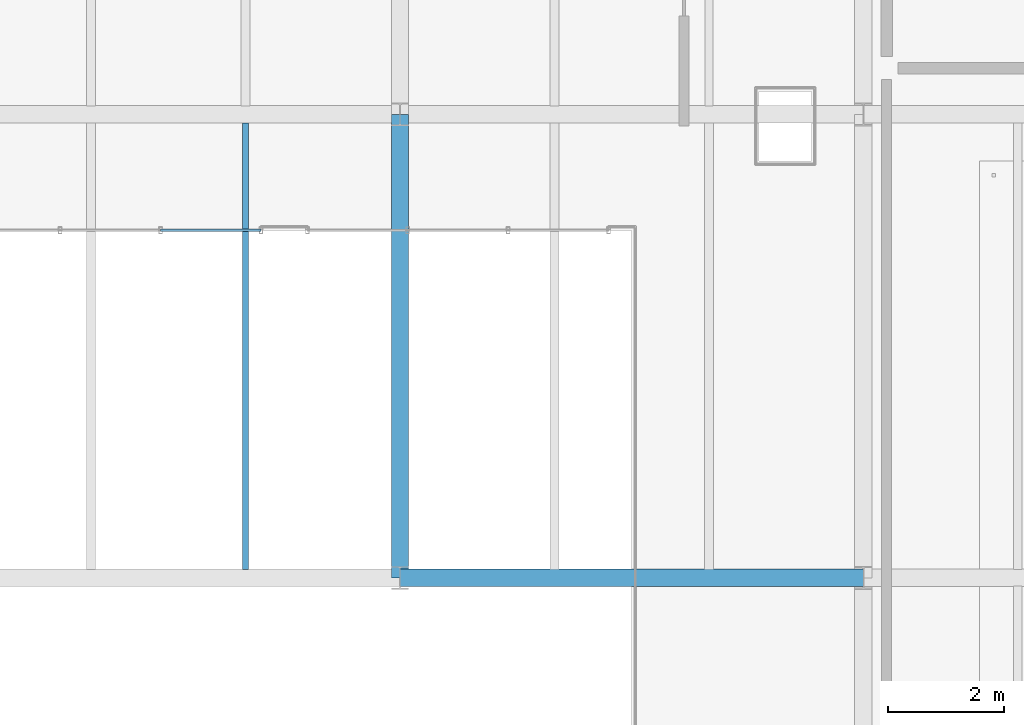
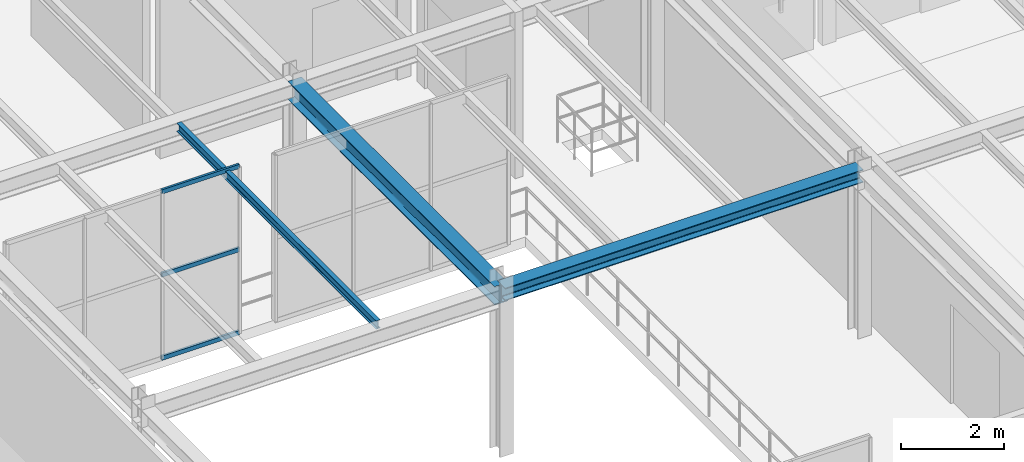
# One storey, part 28 of 67: 3 beams, 3 members, 1 element without a shape of its own.
"""IFC4 building model written with IfcOpenShell, lengths in metres."""

from ifc_helpers import new_model, si_unit, direction, frame, origin, origin_2d, place, context, subcontext, project, spatial, hollow_rectangle, i_section, extrude, material, material_profile, profile_set, type_object, element, aggregate, save


model = new_model("IFC4")

# Units and contexts
model_context = context("Model", 3, precision=1e-05, world=origin(), true_north=direction((0.0, 1.0)))
body_context = subcontext(model_context, "Body", "Model", "MODEL_VIEW")
ifc_project = project(units=[si_unit("LENGTHUNIT", "METRE"), si_unit("AREAUNIT", "SQUARE_METRE"), si_unit("VOLUMEUNIT", "CUBIC_METRE"), si_unit("PLANEANGLEUNIT", "RADIAN"), si_unit("MASSUNIT", "GRAM", prefix="KILO")], contexts=[model_context])

# Site, building, storey
site_placement = place(None, origin())
site = spatial("IfcSite", under=ifc_project, at=site_placement, CompositionType="ELEMENT")
building_placement = place(site_placement, origin())
building = spatial("IfcBuilding", under=site, at=building_placement, Name="Sundkrona Museum", CompositionType="ELEMENT")
storey_placement = place(building_placement, frame((0.0, 0.0, 21.800048828125)))
storey = spatial("IfcBuildingStorey", under=building, at=storey_placement, Name="L04", CompositionType="ELEMENT", Elevation=21.800048828125)

# Beams
ifc_material_1 = material(Name="Steel S355J2", Category="steel")
ifc_material_profile_1 = material_profile(ifc_material_1, i_section(OverallWidth=0.300048828125, OverallDepth=0.43994140625, WebThickness=0.011474609375, FlangeThickness=0.02099609375, FilletRadius=0.027099609375, at=origin_2d()), Name="HEA 450")
ifc_profile_set_1 = profile_set([ifc_material_profile_1], Name="Steel S355J2")
beam_type_1 = type_object("IfcBeamType", Name="B-HEA450", PredefinedType="BEAM", material=ifc_profile_set_1)
beam_1_placement = place(storey_placement, frame((144.0, 24.0, 3.699951171875), z_axis=(0.0, 1.0, 0.0), x_axis=(-1.0, 0.0, 0.0)))
element("IfcBeam", 1, at=beam_1_placement, inside=storey, type_object=beam_type_1, Name="L04 Girder Y-1755", PredefinedType="BEAM", context=body_context, shape_type="SweptSolid", body=[
    extrude(i_section(OverallWidth=0.300048828125, OverallDepth=0.43994140625, WebThickness=0.011474609375, FlangeThickness=0.02099609375, FilletRadius=0.027099609375, at=origin_2d()), origin(), (0.0, 0.0, 1.0), 8.0),
])
ifc_material_profile_2 = material_profile(ifc_material_1, i_section(OverallWidth=0.300048828125, OverallDepth=0.300048828125, WebThickness=0.010986328125, FlangeThickness=0.01904296875, FilletRadius=0.027099609375, at=origin_2d()), Name="HEB 300")
ifc_profile_set_2 = profile_set([ifc_material_profile_2], Name="Steel S355J2")
beam_type_2 = type_object("IfcBeamType", Name="B-HEB300", PredefinedType="BEAM", material=ifc_profile_set_2)
beam_2_placement = place(storey_placement, frame((144.0, 24.0, 3.77001953125), z_axis=(1.0, 0.0, 0.0), x_axis=(0.0, 1.0, 0.0)))
element("IfcBeam", 2, at=beam_2_placement, inside=storey, type_object=beam_type_2, Name="L04 Girder X-1719", PredefinedType="BEAM", context=body_context, shape_type="SweptSolid", body=[
    extrude(i_section(OverallWidth=0.300048828125, OverallDepth=0.300048828125, WebThickness=0.010986328125, FlangeThickness=0.01904296875, FilletRadius=0.027099609375, at=origin_2d()), origin(), (0.0, 0.0, 1.0), 8.0),
])
ifc_material_profile_3 = material_profile(ifc_material_1, i_section(OverallWidth=0.10009765625, OverallDepth=0.199951171875, WebThickness=0.005615234375, FlangeThickness=0.008544921875, FilletRadius=0.011962890625, at=origin_2d()), Name="IPE 200")
ifc_profile_set_3 = profile_set([ifc_material_profile_3], Name="Steel S355J2")
beam_type_3 = type_object("IfcBeamType", Name="J-IPE200", PredefinedType="JOIST", material=ifc_profile_set_3)
beam_3_placement = place(storey_placement, frame((141.333251953125, 24.14404296875, 3.820068359375), z_axis=(0.0, 1.0, 0.0), x_axis=(-1.0, 0.0, 0.0)))
element("IfcBeam", 3, at=beam_3_placement, inside=storey, type_object=beam_type_3, Name="L04 Composite Joist 1200", PredefinedType="JOIST", context=body_context, shape_type="SweptSolid", body=[
    extrude(i_section(OverallWidth=0.10009765625, OverallDepth=0.199951171875, WebThickness=0.005615234375, FlangeThickness=0.008544921875, FilletRadius=0.011962890625, at=origin_2d()), origin(), (0.0, 0.0, 1.0), 7.7119140625),
])

# Curtain wall, members
ifc_material_2 = material(Name="Unitised Aluminium-Steel and Ceramic-Clad Curtain Walling", Category="steel")
curtain_wall_type = type_object("IfcCurtainWallType", Name="CW-SC-52x38", PredefinedType="NOTDEFINED", material=ifc_material_2)
curtain_wall_placement = place(storey_placement, origin())
curtain_wall = element("IfcCurtainWall", 4, at=curtain_wall_placement, inside=storey, type_object=curtain_wall_type, Name="L04 Curtain Wall CW-L04-014", PredefinedType="NOTDEFINED")
ifc_material_3 = material(Name="Aluminium EN AW-6060 T66", Category="aluminium")
ifc_material_profile_4 = material_profile(ifc_material_3, hollow_rectangle(XDim=0.050048828125, YDim=0.10009765625, WallThickness=0.0048828125, at=origin_2d()), Name="RHS 100x50x5.0")
ifc_profile_set_4 = profile_set([ifc_material_profile_4], Name="Aluminium EN AW-6060 T66")
member_type = type_object("IfcMemberType", Name="TR-100", PredefinedType="USERDEFINED", material=ifc_profile_set_4)
member_1_placement = place(storey_placement, frame((139.86669921875, 30.0, -0.004150390625), z_axis=(1.0, 0.0, 0.0), x_axis=(0.0, 1.0, 0.0)))
member_1 = element("IfcMember", 5, at=member_1_placement, type_object=member_type, Name="CW-L04-014 Transom 07", ObjectType="TRANSOM", PredefinedType="USERDEFINED", context=body_context, shape_type="SweptSolid", body=[
    extrude(hollow_rectangle(XDim=0.050048828125, YDim=0.10009765625, WallThickness=0.0048828125, at=origin_2d()), origin(), (0.0, 0.0, 1.0), 1.7333984375),
])
member_2_placement = place(storey_placement, frame((139.86669921875, 30.0, 1.9599609375), z_axis=(1.0, 0.0, 0.0), x_axis=(0.0, 1.0, 0.0)))
member_2 = element("IfcMember", 6, at=member_2_placement, type_object=member_type, Name="CW-L04-014 Transom 08", ObjectType="TRANSOM", PredefinedType="USERDEFINED", context=body_context, shape_type="SweptSolid", body=[
    extrude(hollow_rectangle(XDim=0.050048828125, YDim=0.10009765625, WallThickness=0.0048828125, at=origin_2d()), origin(), (0.0, 0.0, 1.0), 1.7333984375),
])
member_3_placement = place(storey_placement, frame((139.86669921875, 30.0, 3.924072265625), z_axis=(1.0, 0.0, 0.0), x_axis=(0.0, 1.0, 0.0)))
member_3 = element("IfcMember", 7, at=member_3_placement, type_object=member_type, Name="CW-L04-014 Transom 09", ObjectType="TRANSOM", PredefinedType="USERDEFINED", context=body_context, shape_type="SweptSolid", body=[
    extrude(hollow_rectangle(XDim=0.050048828125, YDim=0.10009765625, WallThickness=0.0048828125, at=origin_2d()), origin(), (0.0, 0.0, 1.0), 1.7333984375),
])
aggregate(curtain_wall, [member_1, member_2, member_3])

save(model, "model.ifc")
